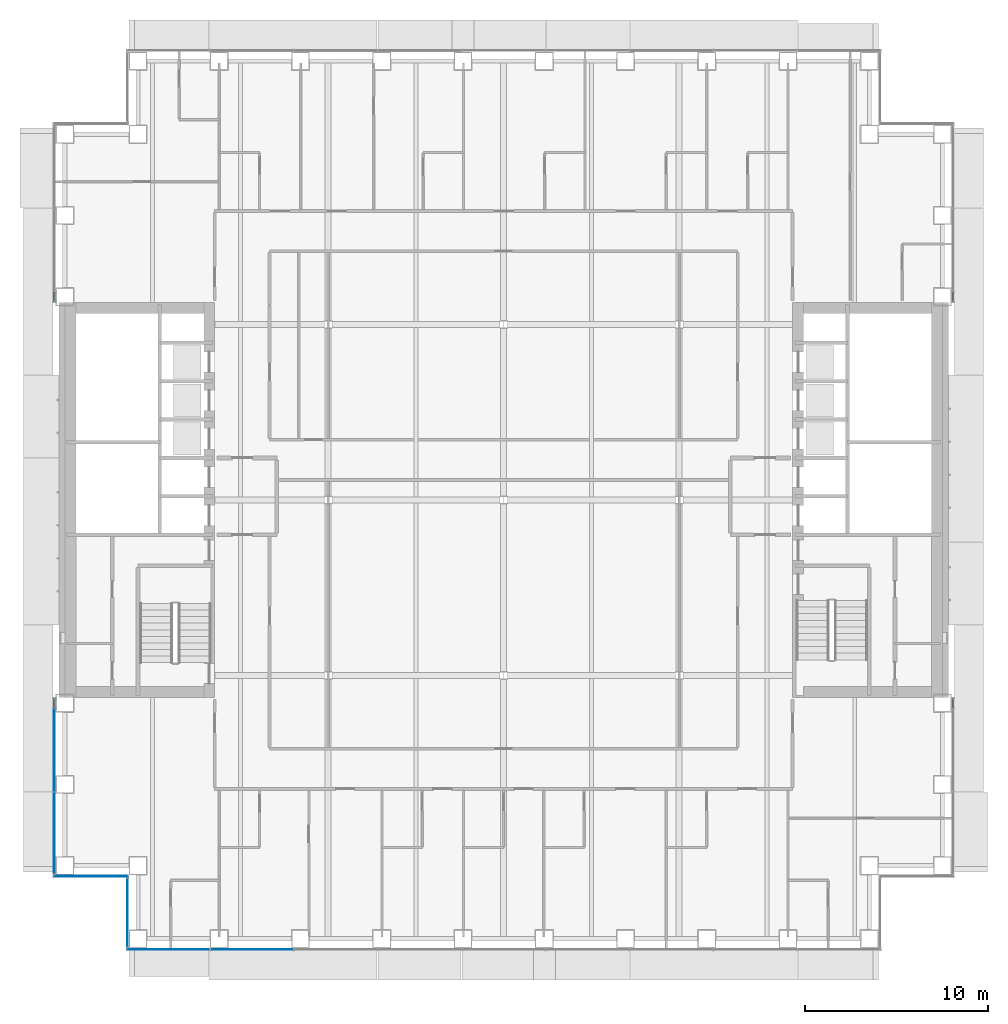
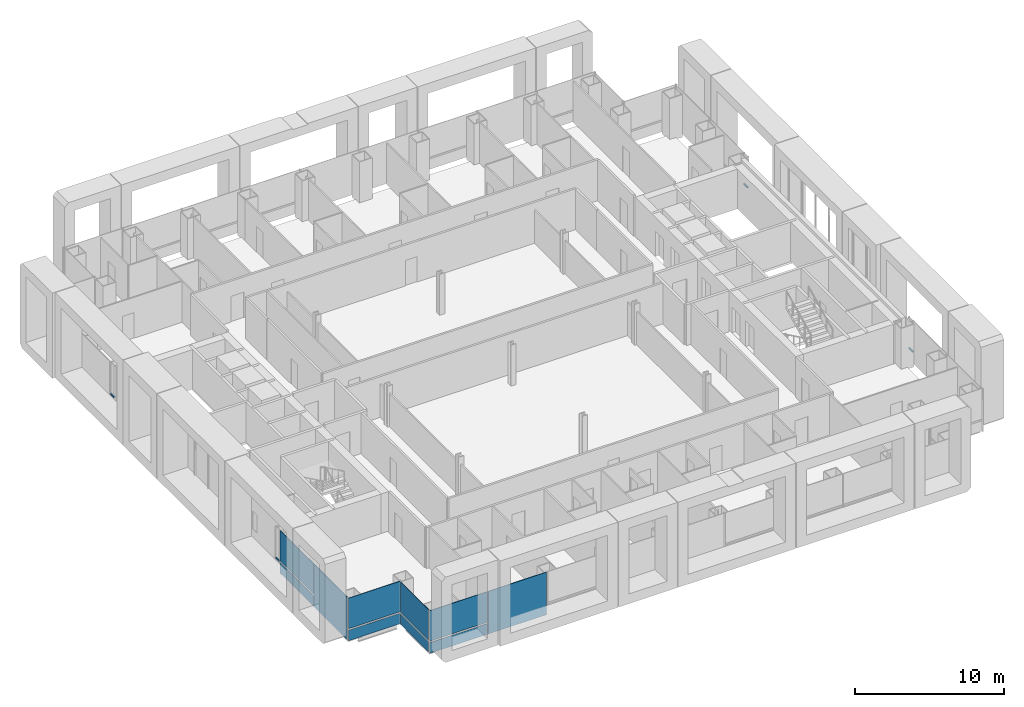
# One storey, part 10 of 25: 10 plates, 4 members, 7 elements without a shape of their own.
"""IFC4 building model written with IfcOpenShell, lengths in metres."""

from ifc_helpers import new_model, si_unit, direction, frame, origin, origin_2d, place, context, subcontext, project, spatial, rectangle, extrude, material, layer, layer_set, material_profile, profile_set, type_object, element, aggregate, save


model = new_model("IFC4")

# Units and contexts
model_context = context("Model", 3, precision=1e-05, world=origin(), true_north=direction((0.0, 1.0)))
body_context = subcontext(model_context, "Body", "Model", "MODEL_VIEW")
ifc_project = project(units=[si_unit("LENGTHUNIT", "METRE"), si_unit("AREAUNIT", "SQUARE_METRE"), si_unit("VOLUMEUNIT", "CUBIC_METRE"), si_unit("PLANEANGLEUNIT", "RADIAN"), si_unit("MASSUNIT", "GRAM", prefix="KILO")], contexts=[model_context])

# Site, building, storey
site_placement = place(None, origin())
site = spatial("IfcSite", under=ifc_project, at=site_placement, CompositionType="ELEMENT")
building_placement = place(site_placement, origin())
building = spatial("IfcBuilding", under=site, at=building_placement, Name="Cobrizo Arcos Hotel Tower", CompositionType="ELEMENT")
storey_placement = place(building_placement, frame((0.0, 0.0, 46.0)))
storey = spatial("IfcBuildingStorey", under=building, at=storey_placement, Name="L09", CompositionType="ELEMENT", Elevation=46.0)

# Curtain wall, member
ifc_material_1 = material(Name="Aluminium 6063-T6 anodised bronze", Category="aluminium")
curtain_wall_type = type_object("IfcCurtainWallType", Name="CW-A guest facade", PredefinedType="NOTDEFINED", material=ifc_material_1)
curtain_wall_1_placement = place(storey_placement, origin())
curtain_wall_1 = element("IfcCurtainWall", 1, at=curtain_wall_1_placement, inside=storey, type_object=curtain_wall_type, Name="CW-A L09 E face", PredefinedType="NOTDEFINED")
ifc_material_profile = material_profile(ifc_material_1, rectangle(XDim=0.10009765625, YDim=0.1201171875, at=origin_2d()), Name="CW-A transom 120x100")
ifc_profile_set = profile_set([ifc_material_profile], Name="Aluminium 6063-T6 anodised bronze")
member_type = type_object("IfcMemberType", Name="CW-A transom 120x100", PredefinedType="USERDEFINED", material=ifc_profile_set)
member_1_placement = place(storey_placement, frame((24.574951171875, -11.35888671875, 0.929931640625), z_axis=(0.0, 1.0, 0.0), x_axis=(-1.0, 0.0, 0.0)))
member_1 = element("IfcMember", 2, at=member_1_placement, type_object=member_type, Name="CW-A transom 450", ObjectType="TRANSOM", PredefinedType="USERDEFINED", context=body_context, shape_type="SweptSolid", body=[
    extrude(rectangle(XDim=0.10009765625, YDim=0.1201171875, at=origin_2d()), origin(), (0.0, 0.0, 1.0), 0.498779296875),
])
aggregate(curtain_wall_1, [member_1])

curtain_wall_2_placement = place(storey_placement, origin())
curtain_wall_2 = element("IfcCurtainWall", 3, at=curtain_wall_2_placement, inside=storey, type_object=curtain_wall_type, Name="CW-A L09 E face", PredefinedType="NOTDEFINED")
member_2_placement = place(storey_placement, frame((24.574951171875, 10.860107421875, 0.929931640625), z_axis=(0.0, 1.0, 0.0), x_axis=(-1.0, 0.0, 0.0)))
member_2 = element("IfcMember", 4, at=member_2_placement, type_object=member_type, Name="CW-A transom 451", ObjectType="TRANSOM", PredefinedType="USERDEFINED", context=body_context, shape_type="SweptSolid", body=[
    extrude(rectangle(XDim=0.10009765625, YDim=0.1201171875, at=origin_2d()), origin(), (0.0, 0.0, 1.0), 0.498779296875),
])
aggregate(curtain_wall_2, [member_2])

curtain_wall_3_placement = place(storey_placement, origin())
curtain_wall_3 = element("IfcCurtainWall", 5, at=curtain_wall_3_placement, inside=storey, type_object=curtain_wall_type, Name="CW-A L09 W face", PredefinedType="NOTDEFINED")
member_3_placement = place(storey_placement, frame((-24.574951171875, 11.35888671875, 0.929931640625), z_axis=(0.0, -1.0, 0.0), x_axis=(1.0, 0.0, 0.0)))
member_3 = element("IfcMember", 6, at=member_3_placement, type_object=member_type, Name="CW-A transom 469", ObjectType="TRANSOM", PredefinedType="USERDEFINED", context=body_context, shape_type="SweptSolid", body=[
    extrude(rectangle(XDim=0.10009765625, YDim=0.1201171875, at=origin_2d()), origin(), (0.0, 0.0, 1.0), 0.498779296875),
])
aggregate(curtain_wall_3, [member_3])

curtain_wall_4_placement = place(storey_placement, origin())
curtain_wall_4 = element("IfcCurtainWall", 7, at=curtain_wall_4_placement, inside=storey, type_object=curtain_wall_type, Name="CW-A L09 W face", PredefinedType="NOTDEFINED")
member_4_placement = place(storey_placement, frame((-24.574951171875, -10.860107421875, 0.929931640625), z_axis=(0.0, -1.0, 0.0), x_axis=(1.0, 0.0, 0.0)))
member_4 = element("IfcMember", 8, at=member_4_placement, type_object=member_type, Name="CW-A transom 470", ObjectType="TRANSOM", PredefinedType="USERDEFINED", context=body_context, shape_type="SweptSolid", body=[
    extrude(rectangle(XDim=0.10009765625, YDim=0.1201171875, at=origin_2d()), origin(), (0.0, 0.0, 1.0), 0.498779296875),
])

# Curtain wall, plate
curtain_wall_5_placement = place(storey_placement, origin())
curtain_wall_5 = element("IfcCurtainWall", 9, at=curtain_wall_5_placement, inside=storey, type_object=curtain_wall_type, Name="CW-A L09 S face", PredefinedType="NOTDEFINED")
ifc_material_2 = material(Name="Glass clear laminated low-e", Category="glass")
ifc_layer_1 = layer(ifc_material_2, 0.0400390625)
ifc_layer_set_1 = layer_set([ifc_layer_1], Name="CW-A glass panel")
plate_type_1 = type_object("IfcPlateType", Name="CW-A glass panel", PredefinedType="CURTAIN_PANEL", material=ifc_layer_set_1)
plate_1_placement = place(storey_placement, frame((-18.340576171875, -24.574951171875, 0.990234375), z_axis=(0.0, 0.0, 1.0), x_axis=(1.0, 0.0, 0.0)))
plate_1 = element("IfcPlate", 10, at=plate_1_placement, type_object=plate_type_1, Name="CW-A glass panel 437", PredefinedType="CURTAIN_PANEL", context=body_context, shape_type="SweptSolid", body=[
    extrude(rectangle(XDim=4.498779296875, YDim=0.0400390625, at=origin_2d()), origin(), (0.0, 0.0, 1.0), 2.510009765625),
])

# Plate
plate_2_placement = place(storey_placement, frame((-24.574951171875, -13.666748046875, 0.990234375), z_axis=(0.0, 0.0, 1.0), x_axis=(0.0, -1.0, 0.0)))
plate_2 = element("IfcPlate", 11, at=plate_2_placement, type_object=plate_type_1, Name="CW-A glass panel 471", PredefinedType="CURTAIN_PANEL", context=body_context, shape_type="SweptSolid", body=[
    extrude(rectangle(XDim=4.49560546875, YDim=0.0400390625, at=origin_2d()), origin(), (0.0, 0.0, 1.0), 2.510009765625),
])

# Curtain wall, plate
curtain_wall_6_placement = place(storey_placement, origin())
curtain_wall_6 = element("IfcCurtainWall", 12, at=curtain_wall_6_placement, inside=storey, type_object=curtain_wall_type, Name="CW-A L09 S face", PredefinedType="NOTDEFINED")
plate_3_placement = place(storey_placement, frame((-22.574951171875, -20.574951171875, 0.990234375), z_axis=(0.0, 0.0, 1.0), x_axis=(1.0, 0.0, 0.0)))
plate_3 = element("IfcPlate", 13, at=plate_3_placement, type_object=plate_type_1, Name="CW-A glass panel 473", PredefinedType="CURTAIN_PANEL", context=body_context, shape_type="SweptSolid", body=[
    extrude(rectangle(XDim=4.030029296875, YDim=0.0400390625, at=origin_2d()), origin(), (0.0, 0.0, 1.0), 2.510009765625),
])

curtain_wall_7_placement = place(storey_placement, origin())
curtain_wall_7 = element("IfcCurtainWall", 14, at=curtain_wall_7_placement, inside=storey, type_object=curtain_wall_type, Name="CW-A L09 W face", PredefinedType="NOTDEFINED")
plate_4_placement = place(storey_placement, frame((-20.574951171875, -22.574951171875, 0.990234375), z_axis=(0.0, 0.0, 1.0), x_axis=(0.0, -1.0, 0.0)))
plate_4 = element("IfcPlate", 15, at=plate_4_placement, type_object=plate_type_1, Name="CW-A glass panel 474", PredefinedType="CURTAIN_PANEL", context=body_context, shape_type="SweptSolid", body=[
    extrude(rectangle(XDim=3.72998046875, YDim=0.0400390625, at=origin_2d()), origin(), (0.0, 0.0, 1.0), 2.510009765625),
])

# Plate
ifc_material_3 = material(Name="Aluminium composite panel pale metal", Category="aluminium")
ifc_layer_2 = layer(ifc_material_3, 0.0400390625)
ifc_layer_set_2 = layer_set([ifc_layer_2], Name="CW-A spandrel panel")
plate_type_2 = type_object("IfcPlateType", Name="CW-A spandrel panel", PredefinedType="CURTAIN_PANEL", material=ifc_layer_set_2)
plate_5_placement = place(storey_placement, frame((-18.340576171875, -24.574951171875, 0.0), z_axis=(0.0, 0.0, 1.0), x_axis=(1.0, 0.0, 0.0)))
plate_5 = element("IfcPlate", 16, at=plate_5_placement, type_object=plate_type_2, Name="CW-A spandrel panel 437", PredefinedType="CURTAIN_PANEL", context=body_context, shape_type="SweptSolid", body=[
    extrude(rectangle(XDim=4.498779296875, YDim=0.0400390625, at=origin_2d()), origin(), (0.0, 0.0, 1.0), 0.8701171875),
])

plate_6_placement = place(storey_placement, frame((-13.7666015625, -24.574951171875, 0.0), z_axis=(0.0, 0.0, 1.0), x_axis=(1.0, 0.0, 0.0)))
plate_6 = element("IfcPlate", 17, at=plate_6_placement, type_object=plate_type_2, Name="CW-A spandrel panel 438", PredefinedType="CURTAIN_PANEL", context=body_context, shape_type="SweptSolid", body=[
    extrude(rectangle(XDim=4.52880859375, YDim=0.0400390625, at=origin_2d()), origin(), (0.0, 0.0, 1.0), 3.5),
])

aggregate(curtain_wall_5, [plate_5, plate_1, plate_6])

plate_7_placement = place(storey_placement, frame((-24.574951171875, -13.666748046875, 0.0), z_axis=(0.0, 0.0, 1.0), x_axis=(0.0, -1.0, 0.0)))
plate_7 = element("IfcPlate", 18, at=plate_7_placement, type_object=plate_type_2, Name="CW-A spandrel panel 471", PredefinedType="CURTAIN_PANEL", context=body_context, shape_type="SweptSolid", body=[
    extrude(rectangle(XDim=4.49560546875, YDim=0.0400390625, at=origin_2d()), origin(), (0.0, 0.0, 1.0), 0.8701171875),
])

plate_8_placement = place(storey_placement, frame((-24.574951171875, -18.207275390625, 0.0), z_axis=(0.0, 0.0, 1.0), x_axis=(0.0, -1.0, 0.0)))
plate_8 = element("IfcPlate", 19, at=plate_8_placement, type_object=plate_type_2, Name="CW-A spandrel panel 472", PredefinedType="CURTAIN_PANEL", context=body_context, shape_type="SweptSolid", body=[
    extrude(rectangle(XDim=4.465576171875, YDim=0.0400390625, at=origin_2d()), origin(), (0.0, 0.0, 1.0), 3.5),
])

aggregate(curtain_wall_4, [member_4, plate_7, plate_2, plate_8])

plate_9_placement = place(storey_placement, frame((-22.574951171875, -20.574951171875, 0.0), z_axis=(0.0, 0.0, 1.0), x_axis=(1.0, 0.0, 0.0)))
plate_9 = element("IfcPlate", 20, at=plate_9_placement, type_object=plate_type_2, Name="CW-A spandrel panel 473", PredefinedType="CURTAIN_PANEL", context=body_context, shape_type="SweptSolid", body=[
    extrude(rectangle(XDim=4.030029296875, YDim=0.0400390625, at=origin_2d()), origin(), (0.0, 0.0, 1.0), 0.8701171875),
])

aggregate(curtain_wall_6, [plate_9, plate_3])

plate_10_placement = place(storey_placement, frame((-20.574951171875, -22.574951171875, 0.0), z_axis=(0.0, 0.0, 1.0), x_axis=(0.0, -1.0, 0.0)))
plate_10 = element("IfcPlate", 21, at=plate_10_placement, type_object=plate_type_2, Name="CW-A spandrel panel 474", PredefinedType="CURTAIN_PANEL", context=body_context, shape_type="SweptSolid", body=[
    extrude(rectangle(XDim=3.72998046875, YDim=0.0400390625, at=origin_2d()), origin(), (0.0, 0.0, 1.0), 0.8701171875),
])

aggregate(curtain_wall_7, [plate_10, plate_4])

save(model, "model.ifc")
